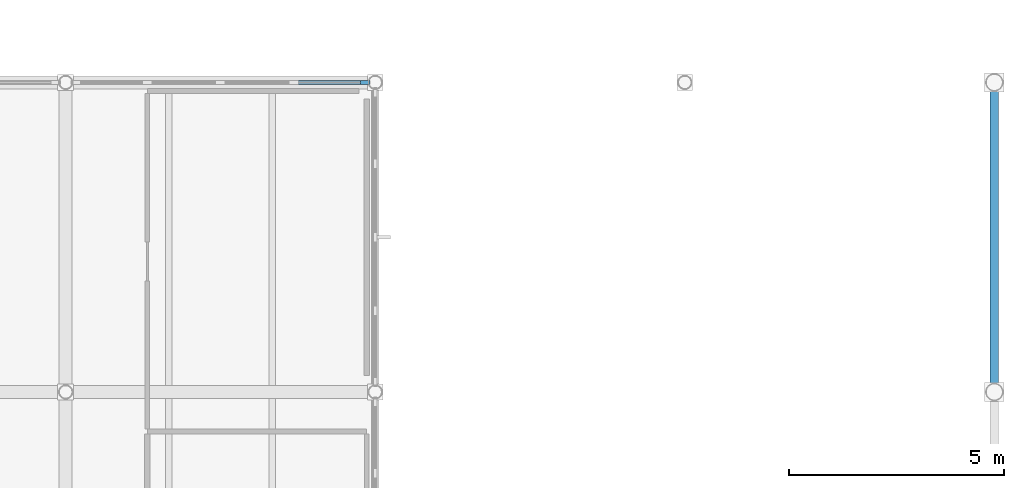
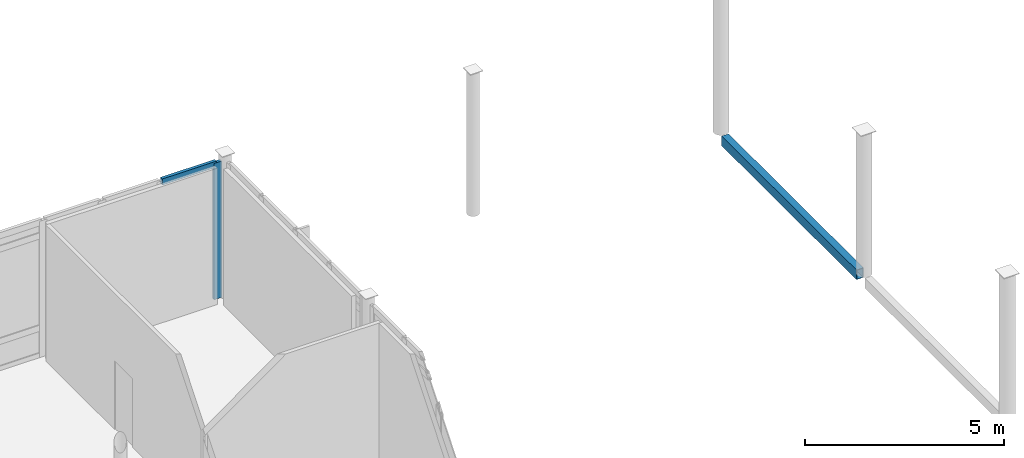
# One storey, part 33 of 76: 2 members, 1 beam, 1 element without a shape of its own.
"""IFC4 building model written with IfcOpenShell, lengths in metres."""

from ifc_helpers import new_model, si_unit, direction, frame, origin, origin_2d, place, context, subcontext, project, spatial, rectangle, hollow_rectangle, extrude, material, layer, layer_set, material_profile, profile_set, type_object, element, aggregate, save


model = new_model("IFC4")

# Units and contexts
model_context = context("Model", 3, precision=1e-05, world=origin(), true_north=direction((0.0, 1.0)))
body_context = subcontext(model_context, "Body", "Model", "MODEL_VIEW")
ifc_project = project(units=[si_unit("LENGTHUNIT", "METRE"), si_unit("AREAUNIT", "SQUARE_METRE"), si_unit("VOLUMEUNIT", "CUBIC_METRE"), si_unit("PLANEANGLEUNIT", "RADIAN"), si_unit("MASSUNIT", "GRAM", prefix="KILO")], contexts=[model_context])

# Site, building, storey
site_placement = place(None, origin())
site = spatial("IfcSite", under=ifc_project, at=site_placement, CompositionType="ELEMENT")
building_placement = place(site_placement, origin())
building = spatial("IfcBuilding", under=site, at=building_placement, Name="Zarrinpeak Specialist Clinic", CompositionType="ELEMENT")
storey_placement = place(building_placement, frame((0.0, 0.0, 5.199951171875)))
storey = spatial("IfcBuildingStorey", under=building, at=storey_placement, Name="L01", CompositionType="ELEMENT", Elevation=5.199951171875)

# Beam
ifc_material_1 = material(Name="Steel S355", Category="steel")
ifc_material_profile_1 = material_profile(ifc_material_1, hollow_rectangle(XDim=0.199951171875, YDim=0.300048828125, WallThickness=0.012451171875, at=origin_2d()), Name="RHS 300x200x12.5")
ifc_profile_set_1 = profile_set([ifc_material_profile_1], Name="Steel S355")
beam_type = type_object("IfcBeamType", Name="BM-SP300", PredefinedType="SPANDREL", material=ifc_profile_set_1)
beam_placement = place(storey_placement, frame((122.39990234375, 65.010009765625, -0.14990234375), z_axis=(0.0, 1.0, 0.0), x_axis=(-1.0, 0.0, 0.0)))
element("IfcBeam", 1, at=beam_placement, inside=storey, type_object=beam_type, Name="L01 V3 Hall East Spandrel Girt Y2540", PredefinedType="SPANDREL", context=body_context, shape_type="SweptSolid", body=[
    extrude(hollow_rectangle(XDim=0.199951171875, YDim=0.300048828125, WallThickness=0.012451171875, at=origin_2d()), origin(), (0.0, 0.0, 1.0), 6.780029296875),
])

# Curtain wall, members
ifc_material_2 = material(Name="Anodised Aluminium Alloy 6063-T6", Category="aluminium")
ifc_layer = layer(ifc_material_2, 0.199951171875)
ifc_layer_set = layer_set([ifc_layer], Name="Anodised Aluminium Alloy 6063-T6")
curtain_wall_type = type_object("IfcCurtainWallType", Name="CW-HALL", PredefinedType="NOTDEFINED", material=ifc_layer_set)
curtain_wall_placement = place(storey_placement, origin())
curtain_wall = element("IfcCurtainWall", 2, at=curtain_wall_placement, inside=storey, type_object=curtain_wall_type, Name="L01 V3 Unitised Curtain Wall CW-L01-V3-100", PredefinedType="NOTDEFINED")
ifc_material_profile_2 = material_profile(ifc_material_2, rectangle(XDim=0.090087890625, YDim=0.219970703125, at=origin_2d()), Name="ALU 90x220")
ifc_profile_set_2 = profile_set([ifc_material_profile_2], Name="Anodised Aluminium Alloy 6063-T6")
member_type_1 = type_object("IfcMemberType", Name="CWM-90", PredefinedType="MULLION", material=ifc_profile_set_2)
member_1_placement = place(storey_placement, frame((107.76806640625, 72.0, 0.0), z_axis=(0.0, 0.0, 1.0), x_axis=(0.0, -1.0, 0.0)))
member_1 = element("IfcMember", 3, at=member_1_placement, type_object=member_type_1, Name="CW-02 mullion 1", PredefinedType="MULLION", context=body_context, shape_type="SweptSolid", body=[
    extrude(rectangle(XDim=0.090087890625, YDim=0.219970703125, at=origin_2d()), origin(), (0.0, 0.0, 1.0), 4.18505859375),
])
ifc_material_profile_3 = material_profile(ifc_material_2, rectangle(XDim=0.090087890625, YDim=0.18994140625, at=origin_2d()), Name="ALU 90x190")
ifc_profile_set_3 = profile_set([ifc_material_profile_3], Name="Anodised Aluminium Alloy 6063-T6")
member_type_2 = type_object("IfcMemberType", Name="CWT-90", PredefinedType="USERDEFINED", material=ifc_profile_set_3)
member_2_placement = place(storey_placement, frame((107.72314453125, 72.0, 4.14013671875), z_axis=(-1.0, 0.0, 0.0), x_axis=(0.0, -1.0, 0.0)))
member_2 = element("IfcMember", 4, at=member_2_placement, type_object=member_type_2, Name="CW-02 transom 1.4", ObjectType="TRANSOM", PredefinedType="USERDEFINED", context=body_context, shape_type="SweptSolid", body=[
    extrude(rectangle(XDim=0.090087890625, YDim=0.18994140625, at=origin_2d()), origin(), (0.0, 0.0, 1.0), 1.571533203125),
])
aggregate(curtain_wall, [member_1, member_2])

save(model, "model.ifc")
